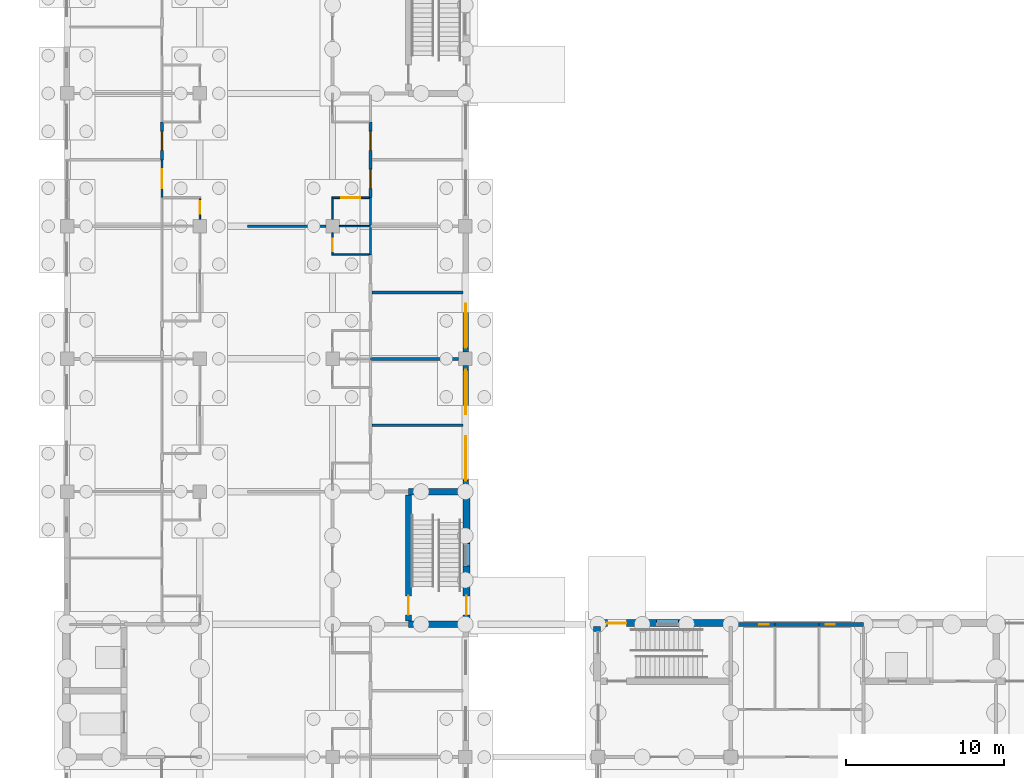
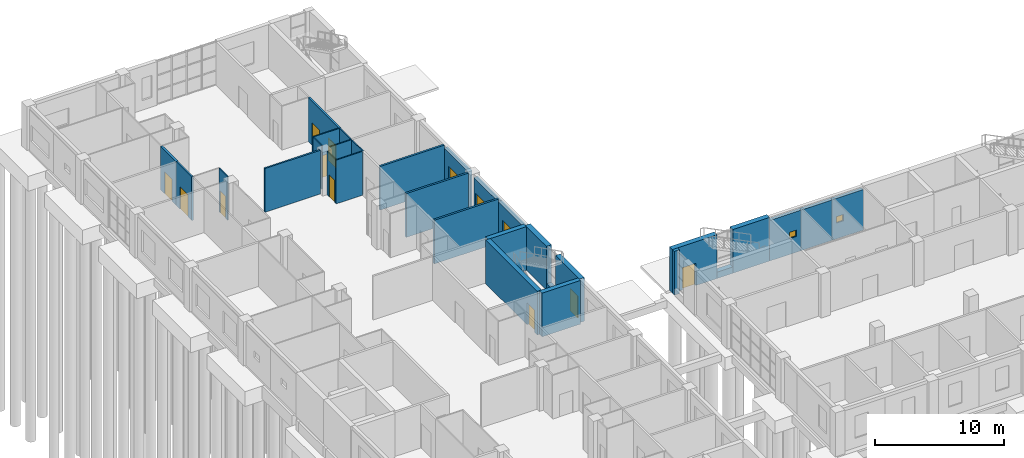
# One storey, part 108 of 138: 31 walls, 10 doors, 5 windows, 15 openings.
"""IFC4 building model written with IfcOpenShell, lengths in metres."""

from ifc_helpers import new_model, si_unit, direction, frame, frame_2d, origin, place, context, subcontext, project, spatial, rectangle, extrude, material, layer, layer_set, type_object, element, fill, save


model = new_model("IFC4")

# Units and contexts
model_context = context("Model", 3, precision=1e-05, world=origin(), true_north=direction((0.0, 1.0)))
body_context = subcontext(model_context, "Body", "Model", "MODEL_VIEW")
ifc_project = project(units=[si_unit("LENGTHUNIT", "METRE"), si_unit("AREAUNIT", "SQUARE_METRE"), si_unit("VOLUMEUNIT", "CUBIC_METRE"), si_unit("PLANEANGLEUNIT", "RADIAN"), si_unit("MASSUNIT", "GRAM", prefix="KILO")], contexts=[model_context])

# Site, building, storey
site_placement = place(None, origin())
site = spatial("IfcSite", under=ifc_project, at=site_placement, CompositionType="ELEMENT")
building_placement = place(site_placement, origin())
building = spatial("IfcBuilding", under=site, at=building_placement, Name="Yavir Park General Hospital", CompositionType="ELEMENT")
storey_placement = place(building_placement, origin())
storey = spatial("IfcBuildingStorey", under=building, at=storey_placement, Name="L00", CompositionType="ELEMENT", Elevation=0.0)

# Walls
ifc_material_1 = material(Name="Double-leaf gypsum board acoustic partition on staggered studs")
ifc_layer_1 = layer(ifc_material_1, 0.175048828125)
ifc_layer_set_1 = layer_set([ifc_layer_1], Name="Double-leaf gypsum board acoustic partition on staggered studs")
wall_type_1 = type_object("IfcWallType", Name="Acoustic partition 175", PredefinedType="PARTITIONING", material=ifc_layer_set_1)
wall_1_placement = place(storey_placement, frame((19.28759765625, 88.199951171875, 0.0), z_axis=(0.0, 0.0, 1.0), x_axis=(1.0, 0.0, 0.0)))
element("IfcWall", 1, at=wall_1_placement, inside=storey, type_object=wall_type_1, Name="AP175 L00-202", PredefinedType="PARTITIONING", context=body_context, shape_type="SweptSolid", body=[
    extrude(rectangle(XDim=5.762451171875, YDim=0.175048828125, at=frame_2d((2.88134765625, 0.0))), origin(), (0.0, 0.0, 1.0), 4.139892578125),
])
wall_2_placement = place(storey_placement, frame((19.199951171875, 92.39990234375, 0.0), z_axis=(0.0, 0.0, 1.0), x_axis=(1.0, 0.0, 0.0)))
element("IfcWall", 2, at=wall_2_placement, inside=storey, type_object=wall_type_1, Name="AP175 L00-211", PredefinedType="PARTITIONING", context=body_context, shape_type="SweptSolid", body=[
    extrude(rectangle(XDim=5.574951171875, YDim=0.175048828125, at=frame_2d((2.78759765625, 0.0))), origin(), (0.0, 0.0, 1.0), 4.139892578125),
])
wall_3_placement = place(storey_placement, frame((19.28759765625, 96.60009765625, 0.0), z_axis=(0.0, 0.0, 1.0), x_axis=(1.0, 0.0, 0.0)))
element("IfcWall", 3, at=wall_3_placement, inside=storey, type_object=wall_type_1, Name="AP175 L00-219", PredefinedType="PARTITIONING", context=body_context, shape_type="SweptSolid", body=[
    extrude(rectangle(XDim=5.762451171875, YDim=0.175048828125, at=frame_2d((2.88134765625, 0.0))), origin(), (0.0, 0.0, 1.0), 4.139892578125),
])

# Wall, opening, door
wall_4_placement = place(storey_placement, frame((6.0, 105.0, 0.0), z_axis=(0.0, 0.0, 1.0), x_axis=(0.0, 1.0, 0.0)))
wall_4 = element("IfcWall", 4, at=wall_4_placement, inside=storey, type_object=wall_type_1, Name="AP175 L00-273", PredefinedType="PARTITIONING", context=body_context, shape_type="SweptSolid", body=[
    extrude(rectangle(XDim=2.39990234375, YDim=0.175048828125, at=frame_2d((1.199951171875, 0.0))), origin(), (0.0, 0.0, 1.0), 4.139892578125),
])
opening_1_placement = place(wall_4_placement, frame((0.60009765625, 0.0, 0.0)))
opening_1 = element("IfcOpeningElement", 5, at=opening_1_placement, cuts=wall_4, Name="Opening L00.D142", PredefinedType="OPENING", context=body_context, shape_type="SweptSolid", body=[
    extrude(rectangle(XDim=1.199951171875, YDim=2.10009765625, at=frame_2d((0.60009765625, 1.050048828125))), frame((0.0, 0.097412109375, 0.0), z_axis=(0.0, -1.0, 0.0), x_axis=(1.0, 0.0, 0.0)), (0.0, 0.0, 1.0), 0.195068359375),
])
ifc_material_2 = material(Name="Sealed solid-core acoustic door leaf, Rw 42 dB")
door_type_1 = type_object("IfcDoorType", Name="Acoustic door 1200 x 2100", OperationType="SINGLE_SWING_LEFT", PredefinedType="DOOR", material=ifc_material_2)
door_1_placement = place(opening_1_placement, origin())
door_1 = element("IfcDoor", 6, at=door_1_placement, inside=storey, type_object=door_type_1, Name="L00.D142", OperationType="SINGLE_SWING_RIGHT", OverallHeight=2.10009765625, OverallWidth=1.199951171875, PredefinedType="DOOR", context=body_context, shape_type="SweptSolid", body=[
    extrude(rectangle(XDim=1.199951171875, YDim=2.10009765625, at=frame_2d((0.60009765625, 1.050048828125))), frame((0.0, 0.03515625, 0.0), z_axis=(0.0, -1.0, 0.0), x_axis=(1.0, 0.0, 0.0)), (0.0, 0.0, 1.0), 0.070068359375),
])
fill(opening_1, door_1)

# Wall, openings, doors
wall_5_placement = place(storey_placement, frame((19.199951171875, 102.60009765625, 0.0), z_axis=(0.0, 0.0, 1.0), x_axis=(0.0, 1.0, 0.0)))
wall_5 = element("IfcWall", 7, at=wall_5_placement, inside=storey, type_object=wall_type_1, Name="AP175 L00-335", PredefinedType="PARTITIONING", context=body_context, shape_type="SweptSolid", body=[
    extrude(rectangle(XDim=4.7998046875, YDim=0.175048828125, at=frame_2d((2.39990234375, 0.0))), origin(), (0.0, 0.0, 1.0), 4.139892578125),
])
opening_2_placement = place(wall_5_placement, frame((0.60009765625, 0.0, 0.0)))
opening_2 = element("IfcOpeningElement", 8, at=opening_2_placement, cuts=wall_5, Name="Opening L00.D188", PredefinedType="OPENING", context=body_context, shape_type="SweptSolid", body=[
    extrude(rectangle(XDim=1.199951171875, YDim=2.10009765625, at=frame_2d((0.60009765625, 1.050048828125))), frame((0.0, 0.097412109375, 0.0), z_axis=(0.0, -1.0, 0.0), x_axis=(1.0, 0.0, 0.0)), (0.0, 0.0, 1.0), 0.195068359375),
])
opening_3_placement = place(wall_5_placement, frame((3.0, 0.0, 0.0)))
opening_3 = element("IfcOpeningElement", 9, at=opening_3_placement, cuts=wall_5, Name="Opening L00.D189", PredefinedType="OPENING", context=body_context, shape_type="SweptSolid", body=[
    extrude(rectangle(XDim=1.199951171875, YDim=2.10009765625, at=frame_2d((0.60009765625, 1.050048828125))), frame((0.0, 0.097412109375, 0.0), z_axis=(0.0, -1.0, 0.0), x_axis=(1.0, 0.0, 0.0)), (0.0, 0.0, 1.0), 0.195068359375),
])
door_2_placement = place(opening_2_placement, origin())
door_2 = element("IfcDoor", 10, at=door_2_placement, inside=storey, type_object=door_type_1, Name="L00.D188", OperationType="SINGLE_SWING_RIGHT", OverallHeight=2.10009765625, OverallWidth=1.199951171875, PredefinedType="DOOR", context=body_context, shape_type="SweptSolid", body=[
    extrude(rectangle(XDim=1.199951171875, YDim=2.10009765625, at=frame_2d((0.60009765625, 1.050048828125))), frame((0.0, 0.03515625, 0.0), z_axis=(0.0, -1.0, 0.0), x_axis=(1.0, 0.0, 0.0)), (0.0, 0.0, 1.0), 0.070068359375),
])
fill(opening_2, door_2)
door_3_placement = place(opening_3_placement, origin())
door_3 = element("IfcDoor", 11, at=door_3_placement, inside=storey, type_object=door_type_1, Name="L00.D189", OperationType="SINGLE_SWING_LEFT", OverallHeight=2.10009765625, OverallWidth=1.199951171875, PredefinedType="DOOR", context=body_context, shape_type="SweptSolid", body=[
    extrude(rectangle(XDim=1.199951171875, YDim=2.10009765625, at=frame_2d((0.60009765625, 1.050048828125))), frame((0.0, 0.03515625, 0.0), z_axis=(0.0, -1.0, 0.0), x_axis=(1.0, 0.0, 0.0)), (0.0, 0.0, 1.0), 0.070068359375),
])
fill(opening_3, door_3)

# Wall, opening, window
ifc_material_3 = material(Name="Brick slip cladding on insulated block backing", Category="masonry")
ifc_layer_2 = layer(ifc_material_3, 0.27490234375)
ifc_layer_set_2 = layer_set([ifc_layer_2], Name="Brick slip cladding on insulated block backing")
wall_type_2 = type_object("IfcWallType", Name="Brick slip faced pavilion wall 275, E 30", PredefinedType="SOLIDWALL", material=ifc_layer_set_2)
wall_6_placement = place(storey_placement, frame((42.0, 75.58740234375, 0.0), z_axis=(0.0, 0.0, 1.0), x_axis=(1.0, 0.0, 0.0)))
wall_6 = element("IfcWall", 12, at=wall_6_placement, inside=storey, type_object=wall_type_2, Name="XW3 L00-070", PredefinedType="SOLIDWALL", context=body_context, shape_type="SweptSolid", body=[
    extrude(rectangle(XDim=2.800048828125, YDim=0.27490234375, at=frame_2d((1.39990234375, 0.0))), origin(), (0.0, 0.0, 1.0), 3.840087890625),
])
opening_4_placement = place(wall_6_placement, frame((1.800048828125, 0.0, 1.5)))
opening_4 = element("IfcOpeningElement", 13, at=opening_4_placement, cuts=wall_6, Name="Opening WJ", PredefinedType="OPENING", context=body_context, shape_type="SweptSolid", body=[
    extrude(rectangle(XDim=0.60009765625, YDim=0.60009765625, at=frame_2d((0.300048828125, 0.300048828125))), frame((0.0, 0.1474609375, 0.0), z_axis=(0.0, -1.0, 0.0), x_axis=(1.0, 0.0, 0.0)), (0.0, 0.0, 1.0), 0.294921875),
])
ifc_material_4 = material(Name="Aluminium frame, obscured glazed unit", Category="aluminium")
window_type_1 = type_object("IfcWindowType", Name="Toilet window, small 600 x 600", PartitioningType="SINGLE_PANEL", PredefinedType="WINDOW", material=ifc_material_4)
window_1_placement = place(opening_4_placement, origin())
window_1 = element("IfcWindow", 14, at=window_1_placement, inside=storey, type_object=window_type_1, Name="WJ L00-022", OverallHeight=0.60009765625, OverallWidth=0.60009765625, PartitioningType="SINGLE_PANEL", PredefinedType="WINDOW", context=body_context, shape_type="SweptSolid", body=[
    extrude(rectangle(XDim=0.60009765625, YDim=0.60009765625, at=frame_2d((0.300048828125, 0.300048828125))), frame((0.0, 0.030029296875, 0.0), z_axis=(0.0, -1.0, 0.0), x_axis=(1.0, 0.0, 0.0)), (0.0, 0.0, 1.0), 0.06005859375),
])
fill(opening_4, window_1)

# Wall
wall_7_placement = place(storey_placement, frame((44.800048828125, 75.58740234375, 0.0), z_axis=(0.0, 0.0, 1.0), x_axis=(1.0, 0.0, 0.0)))
element("IfcWall", 15, at=wall_7_placement, inside=storey, type_object=wall_type_2, Name="XW3 L00-071", PredefinedType="SOLIDWALL", context=body_context, shape_type="SweptSolid", body=[
    extrude(rectangle(XDim=2.800048828125, YDim=0.27490234375, at=frame_2d((1.39990234375, 0.0))), origin(), (0.0, 0.0, 1.0), 3.840087890625),
])

# Wall, opening, window
wall_8_placement = place(storey_placement, frame((47.60009765625, 75.58740234375, 0.0), z_axis=(0.0, 0.0, 1.0), x_axis=(1.0, 0.0, 0.0)))
wall_8 = element("IfcWall", 16, at=wall_8_placement, inside=storey, type_object=wall_type_2, Name="XW3 L00-072", PredefinedType="SOLIDWALL", context=body_context, shape_type="SweptSolid", body=[
    extrude(rectangle(XDim=2.7998046875, YDim=0.27490234375, at=frame_2d((1.39990234375, 0.0))), origin(), (0.0, 0.0, 1.0), 3.840087890625),
])
opening_5_placement = place(wall_8_placement, frame((0.39990234375, 0.0, 1.5)))
opening_5 = element("IfcOpeningElement", 17, at=opening_5_placement, cuts=wall_8, Name="Opening WJ", PredefinedType="OPENING", context=body_context, shape_type="SweptSolid", body=[
    extrude(rectangle(XDim=0.60009765625, YDim=0.60009765625, at=frame_2d((0.300048828125, 0.300048828125))), frame((0.0, 0.1474609375, 0.0), z_axis=(0.0, -1.0, 0.0), x_axis=(1.0, 0.0, 0.0)), (0.0, 0.0, 1.0), 0.294921875),
])
window_2_placement = place(opening_5_placement, origin())
window_2 = element("IfcWindow", 18, at=window_2_placement, inside=storey, type_object=window_type_1, Name="WJ L00-023", OverallHeight=0.60009765625, OverallWidth=0.60009765625, PartitioningType="SINGLE_PANEL", PredefinedType="WINDOW", context=body_context, shape_type="SweptSolid", body=[
    extrude(rectangle(XDim=0.60009765625, YDim=0.60009765625, at=frame_2d((0.300048828125, 0.300048828125))), frame((0.0, 0.030029296875, 0.0), z_axis=(0.0, -1.0, 0.0), x_axis=(1.0, 0.0, 0.0)), (0.0, 0.0, 1.0), 0.06005859375),
])
fill(opening_5, window_2)

# Walls
ifc_material_5 = material(Name="Gypsum board partition on steel studs", Category="steel")
ifc_layer_3 = layer(ifc_material_5, 0.10009765625)
ifc_layer_set_3 = layer_set([ifc_layer_3], Name="Gypsum board partition on steel studs")
wall_type_3 = type_object("IfcWallType", Name="Gypsum board partition 100", PredefinedType="PARTITIONING", material=ifc_layer_set_3)
wall_9_placement = place(storey_placement, frame((16.75, 99.0, 0.0), z_axis=(0.0, 0.0, 1.0), x_axis=(1.0, 0.0, 0.0)))
element("IfcWall", 19, at=wall_9_placement, inside=storey, type_object=wall_type_3, Name="P10 L00-224", PredefinedType="PARTITIONING", context=body_context, shape_type="SweptSolid", body=[
    extrude(rectangle(XDim=2.362548828125, YDim=0.10009765625, at=frame_2d((1.18115234375, 0.0))), origin(), (0.0, 0.0, 1.0), 4.139892578125),
])
wall_10_placement = place(storey_placement, frame((17.22509765625, 100.800048828125, 0.0), z_axis=(0.0, 0.0, 1.0), x_axis=(1.0, 0.0, 0.0)))
element("IfcWall", 20, at=wall_10_placement, inside=storey, type_object=wall_type_3, Name="P10 L00-228", PredefinedType="PARTITIONING", context=body_context, shape_type="SweptSolid", body=[
    extrude(rectangle(XDim=1.974853515625, YDim=0.10009765625, at=frame_2d((0.9873046875, 0.0))), origin(), (0.0, 0.0, 1.0), 4.139892578125),
])

# Wall, opening, door
wall_11_placement = place(storey_placement, frame((16.75, 102.60009765625, 0.0), z_axis=(0.0, 0.0, 1.0), x_axis=(1.0, 0.0, 0.0)))
wall_11 = element("IfcWall", 21, at=wall_11_placement, inside=storey, type_object=wall_type_3, Name="P10 L00-233", PredefinedType="PARTITIONING", context=body_context, shape_type="SweptSolid", body=[
    extrude(rectangle(XDim=2.362548828125, YDim=0.10009765625, at=frame_2d((1.18115234375, 0.0))), origin(), (0.0, 0.0, 1.0), 4.139892578125),
])
opening_6_placement = place(wall_11_placement, frame((0.606201171875, 0.0, 0.0)))
opening_6 = element("IfcOpeningElement", 22, at=opening_6_placement, cuts=wall_11, Name="Opening L00.D121", PredefinedType="OPENING", context=body_context, shape_type="SweptSolid", body=[
    extrude(rectangle(XDim=1.199951171875, YDim=2.10009765625, at=frame_2d((0.60009765625, 1.050048828125))), frame((0.0, 0.06005859375, 0.0), z_axis=(0.0, -1.0, 0.0), x_axis=(1.0, 0.0, 0.0)), (0.0, 0.0, 1.0), 0.1201171875),
])
ifc_material_6 = material(Name="Timber frame, hollow-core leaves", Category="wood")
door_type_2 = type_object("IfcDoorType", Name="Double-leaf wardrobe door 1200 x 2100", OperationType="DOUBLE_DOOR_SINGLE_SWING", PredefinedType="DOOR", material=ifc_material_6)
door_4_placement = place(opening_6_placement, origin())
door_4 = element("IfcDoor", 23, at=door_4_placement, inside=storey, type_object=door_type_2, Name="L00.D121", OperationType="SINGLE_SWING_LEFT", OverallHeight=2.10009765625, OverallWidth=1.199951171875, PredefinedType="DOOR", context=body_context, shape_type="SweptSolid", body=[
    extrude(rectangle(XDim=1.199951171875, YDim=2.10009765625, at=frame_2d((0.60009765625, 1.050048828125))), frame((0.0, 0.02001953125, 0.0), z_axis=(0.0, -1.0, 0.0), x_axis=(1.0, 0.0, 0.0)), (0.0, 0.0, 1.0), 0.0400390625),
])
fill(opening_6, door_4)

wall_12_placement = place(storey_placement, frame((8.39990234375, 101.22509765625, 0.0), z_axis=(0.0, 0.0, 1.0), x_axis=(0.0, 1.0, 0.0)))
wall_12 = element("IfcWall", 24, at=wall_12_placement, inside=storey, type_object=wall_type_3, Name="P10 L00-291", PredefinedType="PARTITIONING", context=body_context, shape_type="SweptSolid", body=[
    extrude(rectangle(XDim=1.324951171875, YDim=0.10009765625, at=frame_2d((0.66259765625, 0.0))), origin(), (0.0, 0.0, 1.0), 4.139892578125),
])
opening_7_placement = place(wall_12_placement, frame((0.362548828125, 0.0, 0.0)))
opening_7 = element("IfcOpeningElement", 25, at=opening_7_placement, cuts=wall_12, Name="Opening L00.D156", PredefinedType="OPENING", context=body_context, shape_type="SweptSolid", body=[
    extrude(rectangle(XDim=0.800048828125, YDim=2.10009765625, at=frame_2d((0.39990234375, 1.050048828125))), frame((0.0, 0.06005859375, 0.0), z_axis=(0.0, -1.0, 0.0), x_axis=(1.0, 0.0, 0.0)), (0.0, 0.0, 1.0), 0.1201171875),
])
ifc_material_7 = material(Name="Timber frame, hollow-core leaf", Category="wood")
door_type_3 = type_object("IfcDoorType", Name="Light cupboard door 800 x 2100", OperationType="SINGLE_SWING_LEFT", PredefinedType="DOOR", material=ifc_material_7)
door_5_placement = place(opening_7_placement, origin())
door_5 = element("IfcDoor", 26, at=door_5_placement, inside=storey, type_object=door_type_3, Name="L00.D156", OperationType="SINGLE_SWING_LEFT", OverallHeight=2.10009765625, OverallWidth=0.800048828125, PredefinedType="DOOR", context=body_context, shape_type="SweptSolid", body=[
    extrude(rectangle(XDim=0.800048828125, YDim=2.10009765625, at=frame_2d((0.39990234375, 1.050048828125))), frame((0.0, 0.02001953125, 0.0), z_axis=(0.0, -1.0, 0.0), x_axis=(1.0, 0.0, 0.0)), (0.0, 0.0, 1.0), 0.0400390625),
])
fill(opening_7, door_5)

wall_13_placement = place(storey_placement, frame((16.800048828125, 99.050048828125, 0.0), z_axis=(0.0, 0.0, 1.0), x_axis=(0.0, 1.0, 0.0)))
wall_13 = element("IfcWall", 27, at=wall_13_placement, inside=storey, type_object=wall_type_3, Name="P10 L00-312", PredefinedType="PARTITIONING", context=body_context, shape_type="SweptSolid", body=[
    extrude(rectangle(XDim=1.324951171875, YDim=0.10009765625, at=frame_2d((0.66259765625, 0.0))), origin(), (0.0, 0.0, 1.0), 4.139892578125),
])
opening_8_placement = place(wall_13_placement, frame((0.16259765625, 0.0, 0.0)))
opening_8 = element("IfcOpeningElement", 28, at=opening_8_placement, cuts=wall_13, Name="Opening L00.D173", PredefinedType="OPENING", context=body_context, shape_type="SweptSolid", body=[
    extrude(rectangle(XDim=0.800048828125, YDim=2.10009765625, at=frame_2d((0.39990234375, 1.050048828125))), frame((0.0, 0.06005859375, 0.0), z_axis=(0.0, -1.0, 0.0), x_axis=(1.0, 0.0, 0.0)), (0.0, 0.0, 1.0), 0.1201171875),
])
door_6_placement = place(opening_8_placement, origin())
door_6 = element("IfcDoor", 29, at=door_6_placement, inside=storey, type_object=door_type_3, Name="L00.D173", OperationType="SINGLE_SWING_LEFT", OverallHeight=2.10009765625, OverallWidth=0.800048828125, PredefinedType="DOOR", context=body_context, shape_type="SweptSolid", body=[
    extrude(rectangle(XDim=0.800048828125, YDim=2.10009765625, at=frame_2d((0.39990234375, 1.050048828125))), frame((0.0, 0.02001953125, 0.0), z_axis=(0.0, -1.0, 0.0), x_axis=(1.0, 0.0, 0.0)), (0.0, 0.0, 1.0), 0.0400390625),
])
fill(opening_8, door_6)

# Walls
wall_14_placement = place(storey_placement, frame((16.800048828125, 101.22509765625, 0.0), z_axis=(0.0, 0.0, 1.0), x_axis=(0.0, 1.0, 0.0)))
element("IfcWall", 30, at=wall_14_placement, inside=storey, type_object=wall_type_3, Name="P10 L00-313", PredefinedType="PARTITIONING", context=body_context, shape_type="SweptSolid", body=[
    extrude(rectangle(XDim=1.324951171875, YDim=0.10009765625, at=frame_2d((0.66259765625, 0.0))), origin(), (0.0, 0.0, 1.0), 4.139892578125),
])
wall_15_placement = place(storey_placement, frame((19.199951171875, 99.0, 0.0), z_axis=(0.0, 0.0, 1.0), x_axis=(0.0, 1.0, 0.0)))
element("IfcWall", 31, at=wall_15_placement, inside=storey, type_object=wall_type_3, Name="P10 L00-333", PredefinedType="PARTITIONING", context=body_context, shape_type="SweptSolid", body=[
    extrude(rectangle(XDim=1.71240234375, YDim=0.10009765625, at=frame_2d((0.856201171875, 0.0))), origin(), (0.0, 0.0, 1.0), 4.139892578125),
])
wall_16_placement = place(storey_placement, frame((19.199951171875, 100.887451171875, 0.0), z_axis=(0.0, 0.0, 1.0), x_axis=(0.0, 1.0, 0.0)))
element("IfcWall", 32, at=wall_16_placement, inside=storey, type_object=wall_type_3, Name="P10 L00-334", PredefinedType="PARTITIONING", context=body_context, shape_type="SweptSolid", body=[
    extrude(rectangle(XDim=1.712646484375, YDim=0.10009765625, at=frame_2d((0.8564453125, 0.0))), origin(), (0.0, 0.0, 1.0), 4.139892578125),
])
ifc_material_8 = material(Name="Gypsum board partition on steel studs", Category="steel")
ifc_layer_4 = layer(ifc_material_8, 0.14990234375)
ifc_layer_set_4 = layer_set([ifc_layer_4], Name="Gypsum board partition on steel studs")
wall_type_4 = type_object("IfcWallType", Name="Gypsum board partition 150", PredefinedType="PARTITIONING", material=ifc_layer_set_4)
wall_17_placement = place(storey_placement, frame((11.39990234375, 100.800048828125, 0.0), z_axis=(0.0, 0.0, 1.0), x_axis=(1.0, 0.0, 0.0)))
element("IfcWall", 33, at=wall_17_placement, inside=storey, type_object=wall_type_4, Name="P15 L00-227", PredefinedType="PARTITIONING", context=body_context, shape_type="SweptSolid", body=[
    extrude(rectangle(XDim=4.97509765625, YDim=0.14990234375, at=frame_2d((2.487548828125, 0.0))), origin(), (0.0, 0.0, 1.0), 4.139892578125),
])

# Wall, opening, door
wall_18_placement = place(storey_placement, frame((6.0, 102.60009765625, 0.0), z_axis=(0.0, 0.0, 1.0), x_axis=(0.0, 1.0, 0.0)))
wall_18 = element("IfcWall", 34, at=wall_18_placement, inside=storey, type_object=wall_type_4, Name="P15 L00-272", PredefinedType="PARTITIONING", context=body_context, shape_type="SweptSolid", body=[
    extrude(rectangle(XDim=2.39990234375, YDim=0.14990234375, at=frame_2d((1.199951171875, 0.0))), origin(), (0.0, 0.0, 1.0), 4.139892578125),
])
opening_9_placement = place(wall_18_placement, frame((0.60009765625, 0.0, 0.0)))
opening_9 = element("IfcOpeningElement", 35, at=opening_9_placement, cuts=wall_18, Name="Opening L00.D141", PredefinedType="OPENING", context=body_context, shape_type="SweptSolid", body=[
    extrude(rectangle(XDim=1.199951171875, YDim=2.10009765625, at=frame_2d((0.60009765625, 1.050048828125))), frame((0.0, 0.0849609375, 0.0), z_axis=(0.0, -1.0, 0.0), x_axis=(1.0, 0.0, 0.0)), (0.0, 0.0, 1.0), 0.169921875),
])
ifc_material_9 = material(Name="Hollow metal frame, solid-core timber leaf", Category="wood")
door_type_4 = type_object("IfcDoorType", Name="Single swing door 1200 x 2100", OperationType="SINGLE_SWING_LEFT", PredefinedType="DOOR", material=ifc_material_9)
door_7_placement = place(opening_9_placement, origin())
door_7 = element("IfcDoor", 36, at=door_7_placement, inside=storey, type_object=door_type_4, Name="L00.D141", OperationType="SINGLE_SWING_LEFT", OverallHeight=2.10009765625, OverallWidth=1.199951171875, PredefinedType="DOOR", context=body_context, shape_type="SweptSolid", body=[
    extrude(rectangle(XDim=1.199951171875, YDim=2.10009765625, at=frame_2d((0.60009765625, 1.050048828125))), frame((0.0, 0.02490234375, 0.0), z_axis=(0.0, -1.0, 0.0), x_axis=(1.0, 0.0, 0.0)), (0.0, 0.0, 1.0), 0.050048828125),
])
fill(opening_9, door_7)

# Wall, opening, window
ifc_material_10 = material(Name="Concrete C30/37 precast panel with 120 mm mineral wool insulation", Category="concrete")
ifc_layer_5 = layer(ifc_material_10, 0.35009765625)
ifc_layer_set_5 = layer_set([ifc_layer_5], Name="Concrete C30/37 precast panel with 120 mm mineral wool insulation")
wall_type_5 = type_object("IfcWallType", Name="Precast cladding panel podium wall 350, E 30", PredefinedType="SOLIDWALL", material=ifc_layer_set_5)
wall_19_placement = place(storey_placement, frame((25.22509765625, 84.0, 0.0), z_axis=(0.0, 0.0, 1.0), x_axis=(0.0, 1.0, 0.0)))
wall_19 = element("IfcWall", 37, at=wall_19_placement, inside=storey, type_object=wall_type_5, Name="XW2 L00-130", PredefinedType="SOLIDWALL", context=body_context, shape_type="SweptSolid", body=[
    extrude(rectangle(XDim=4.199951171875, YDim=0.35009765625, at=frame_2d((2.10009765625, 0.0))), origin(), (0.0, 0.0, 1.0), 3.840087890625),
])
opening_10_placement = place(wall_19_placement, frame((0.699951171875, 0.0, 1.0)))
opening_10 = element("IfcOpeningElement", 38, at=opening_10_placement, cuts=wall_19, Name="Opening WRB2", PredefinedType="OPENING", context=body_context, shape_type="SweptSolid", body=[
    extrude(rectangle(XDim=2.800048828125, YDim=1.5, at=frame_2d((1.39990234375, 0.75))), frame((0.0, 0.18505859375, 0.0), z_axis=(0.0, -1.0, 0.0), x_axis=(1.0, 0.0, 0.0)), (0.0, 0.0, 1.0), 0.3701171875),
])
ifc_material_11 = material(Name="Aluminium frame, double glazed unit", Category="aluminium")
window_type_2 = type_object("IfcWindowType", Name="Tall ribbon window 2800 x 1500", PartitioningType="DOUBLE_PANEL_VERTICAL", PredefinedType="WINDOW", material=ifc_material_11)
window_3_placement = place(opening_10_placement, origin())
window_3 = element("IfcWindow", 39, at=window_3_placement, inside=storey, type_object=window_type_2, Name="WRB2 L00-056", OverallHeight=1.5, OverallWidth=2.800048828125, PartitioningType="DOUBLE_PANEL_VERTICAL", PredefinedType="WINDOW", context=body_context, shape_type="SweptSolid", body=[
    extrude(rectangle(XDim=2.800048828125, YDim=1.5, at=frame_2d((1.39990234375, 0.75))), frame((0.0, 0.030029296875, 0.0), z_axis=(0.0, -1.0, 0.0), x_axis=(1.0, 0.0, 0.0)), (0.0, 0.0, 1.0), 0.06005859375),
])
fill(opening_10, window_3)

wall_20_placement = place(storey_placement, frame((25.22509765625, 88.199951171875, 0.0), z_axis=(0.0, 0.0, 1.0), x_axis=(0.0, 1.0, 0.0)))
wall_20 = element("IfcWall", 40, at=wall_20_placement, inside=storey, type_object=wall_type_5, Name="XW2 L00-131", PredefinedType="SOLIDWALL", context=body_context, shape_type="SweptSolid", body=[
    extrude(rectangle(XDim=3.775146484375, YDim=0.35009765625, at=frame_2d((1.8876953125, 0.0))), origin(), (0.0, 0.0, 1.0), 3.840087890625),
])
opening_11_placement = place(wall_20_placement, frame((0.699951171875, 0.0, 1.0)))
opening_11 = element("IfcOpeningElement", 41, at=opening_11_placement, cuts=wall_20, Name="Opening WRB2", PredefinedType="OPENING", context=body_context, shape_type="SweptSolid", body=[
    extrude(rectangle(XDim=2.800048828125, YDim=1.5, at=frame_2d((1.39990234375, 0.75))), frame((0.0, 0.18505859375, 0.0), z_axis=(0.0, -1.0, 0.0), x_axis=(1.0, 0.0, 0.0)), (0.0, 0.0, 1.0), 0.3701171875),
])
window_4_placement = place(opening_11_placement, origin())
window_4 = element("IfcWindow", 42, at=window_4_placement, inside=storey, type_object=window_type_2, Name="WRB2 L00-057", OverallHeight=1.5, OverallWidth=2.800048828125, PartitioningType="DOUBLE_PANEL_VERTICAL", PredefinedType="WINDOW", context=body_context, shape_type="SweptSolid", body=[
    extrude(rectangle(XDim=2.800048828125, YDim=1.5, at=frame_2d((1.39990234375, 0.75))), frame((0.0, 0.030029296875, 0.0), z_axis=(0.0, -1.0, 0.0), x_axis=(1.0, 0.0, 0.0)), (0.0, 0.0, 1.0), 0.06005859375),
])
fill(opening_11, window_4)

wall_21_placement = place(storey_placement, frame((25.22509765625, 92.824951171875, 0.0), z_axis=(0.0, 0.0, 1.0), x_axis=(0.0, 1.0, 0.0)))
wall_21 = element("IfcWall", 43, at=wall_21_placement, inside=storey, type_object=wall_type_5, Name="XW2 L00-132", PredefinedType="SOLIDWALL", context=body_context, shape_type="SweptSolid", body=[
    extrude(rectangle(XDim=3.775146484375, YDim=0.35009765625, at=frame_2d((1.8876953125, 0.0))), origin(), (0.0, 0.0, 1.0), 3.840087890625),
])
opening_12_placement = place(wall_21_placement, frame((0.27490234375, 0.0, 1.0)))
opening_12 = element("IfcOpeningElement", 44, at=opening_12_placement, cuts=wall_21, Name="Opening WRB2", PredefinedType="OPENING", context=body_context, shape_type="SweptSolid", body=[
    extrude(rectangle(XDim=2.800048828125, YDim=1.5, at=frame_2d((1.39990234375, 0.75))), frame((0.0, 0.18505859375, 0.0), z_axis=(0.0, -1.0, 0.0), x_axis=(1.0, 0.0, 0.0)), (0.0, 0.0, 1.0), 0.3701171875),
])
window_5_placement = place(opening_12_placement, origin())
window_5 = element("IfcWindow", 45, at=window_5_placement, inside=storey, type_object=window_type_2, Name="WRB2 L00-058", OverallHeight=1.5, OverallWidth=2.800048828125, PartitioningType="DOUBLE_PANEL_VERTICAL", PredefinedType="WINDOW", context=body_context, shape_type="SweptSolid", body=[
    extrude(rectangle(XDim=2.800048828125, YDim=1.5, at=frame_2d((1.39990234375, 0.75))), frame((0.0, 0.030029296875, 0.0), z_axis=(0.0, -1.0, 0.0), x_axis=(1.0, 0.0, 0.0)), (0.0, 0.0, 1.0), 0.06005859375),
])
fill(opening_12, window_5)

# Walls
ifc_material_12 = material(Name="Concrete C35/45", Category="concrete")
ifc_layer_6 = layer(ifc_material_12, 0.39990234375)
ifc_layer_set_6 = layer_set([ifc_layer_6], Name="Concrete C35/45")
wall_type_6 = type_object("IfcWallType", Name="Reinforced concrete core wall 400, REI 150", PredefinedType="SHEAR", material=ifc_layer_set_6)
for number, where, z_axis, x_axis, name in (
    (46, (21.60009765625, 75.60009765625, 0.0), (0.0, 0.0, 1.0), (1.0, 0.0, 0.0), "CW40 L00-180"),
    (47, (21.60009765625, 84.0, 0.0), (0.0, 0.0, 1.0), (1.0, 0.0, 0.0), "CW40 L00-193"),
):
    element("IfcWall", number, at=place(storey_placement, frame(where, z_axis=z_axis, x_axis=x_axis)), inside=storey, type_object=wall_type_6, Name=name, PredefinedType="SHEAR", context=body_context, shape_type="SweptSolid", body=[
        extrude(rectangle(XDim=3.449951171875, YDim=0.39990234375, at=frame_2d((1.72509765625, 0.0))), origin(), (0.0, 0.0, 1.0), 4.139892578125),
    ])

# Wall, opening, door
wall_22_placement = place(storey_placement, frame((21.60009765625, 75.800048828125, 0.0), z_axis=(0.0, 0.0, 1.0), x_axis=(0.0, 1.0, 0.0)))
wall_22 = element("IfcWall", 48, at=wall_22_placement, inside=storey, type_object=wall_type_6, Name="CW40 L00-339", PredefinedType="SHEAR", context=body_context, shape_type="SweptSolid", body=[
    extrude(rectangle(XDim=8.0, YDim=0.39990234375, at=frame_2d((4.0, 0.0))), origin(), (0.0, 0.0, 1.0), 4.139892578125),
])
opening_13_placement = place(wall_22_placement, frame((0.39990234375, 0.0, 0.0)))
opening_13 = element("IfcOpeningElement", 49, at=opening_13_placement, cuts=wall_22, Name="Opening L00.D191", PredefinedType="OPENING", context=body_context, shape_type="SweptSolid", body=[
    extrude(rectangle(XDim=1.199951171875, YDim=2.10009765625, at=frame_2d((0.60009765625, 1.050048828125))), frame((0.0, 0.2099609375, 0.0), z_axis=(0.0, -1.0, 0.0), x_axis=(1.0, 0.0, 0.0)), (0.0, 0.0, 1.0), 0.419921875),
])
ifc_material_13 = material(Name="Steel frame, fire-resisting timber leaf", Category="steel")
door_type_5 = type_object("IfcDoorType", Name="Fire door 1200 x 2100, EI 60", OperationType="SINGLE_SWING_LEFT", PredefinedType="DOOR", material=ifc_material_13)
door_8_placement = place(opening_13_placement, origin())
door_8 = element("IfcDoor", 50, at=door_8_placement, inside=storey, type_object=door_type_5, Name="L00.D191", OperationType="SINGLE_SWING_RIGHT", OverallHeight=2.10009765625, OverallWidth=1.199951171875, PredefinedType="DOOR", context=body_context, shape_type="SweptSolid", body=[
    extrude(rectangle(XDim=1.199951171875, YDim=2.10009765625, at=frame_2d((0.60009765625, 1.050048828125))), frame((0.0, 0.02490234375, 0.0), z_axis=(0.0, -1.0, 0.0), x_axis=(1.0, 0.0, 0.0)), (0.0, 0.0, 1.0), 0.050048828125),
])
fill(opening_13, door_8)

ifc_material_14 = material(Name="Concrete C30/37 precast panel with 150 mm mineral wool insulation", Category="concrete")
ifc_layer_7 = layer(ifc_material_14, 0.449951171875)
ifc_layer_set_7 = layer_set([ifc_layer_7], Name="Concrete C30/37 precast panel with 150 mm mineral wool insulation")
wall_type_7 = type_object("IfcWallType", Name="Stair enclosure wall 450, REI 150", PredefinedType="SOLIDWALL", material=ifc_layer_set_7)
wall_23_placement = place(storey_placement, frame((33.300048828125, 75.675048828125, 0.0), z_axis=(0.0, 0.0, 1.0), x_axis=(1.0, 0.0, 0.0)))
wall_23 = element("IfcWall", 51, at=wall_23_placement, inside=storey, type_object=wall_type_7, Name="XW6 L00-067", PredefinedType="SOLIDWALL", context=body_context, shape_type="SweptSolid", body=[
    extrude(rectangle(XDim=4.0, YDim=0.449951171875, at=frame_2d((2.0, 0.0))), origin(), (0.0, 0.0, 1.0), 4.139892578125),
])
opening_14_placement = place(wall_23_placement, frame((0.89990234375, 0.0, 0.0)))
opening_14 = element("IfcOpeningElement", 52, at=opening_14_placement, cuts=wall_23, Name="Opening L00.X19", PredefinedType="OPENING", context=body_context, shape_type="SweptSolid", body=[
    extrude(rectangle(XDim=1.199951171875, YDim=2.10009765625, at=frame_2d((0.60009765625, 1.050048828125))), frame((0.0, 0.23486328125, 0.0), z_axis=(0.0, -1.0, 0.0), x_axis=(1.0, 0.0, 0.0)), (0.0, 0.0, 1.0), 0.469970703125),
])
door_9_placement = place(opening_14_placement, origin())
door_9 = element("IfcDoor", 53, at=door_9_placement, inside=storey, type_object=door_type_4, Name="L00.X19", OperationType="SINGLE_SWING_RIGHT", OverallHeight=2.10009765625, OverallWidth=1.199951171875, PredefinedType="DOOR", context=body_context, shape_type="SweptSolid", body=[
    extrude(rectangle(XDim=1.199951171875, YDim=2.10009765625, at=frame_2d((0.60009765625, 1.050048828125))), frame((0.0, 0.02490234375, 0.0), z_axis=(0.0, -1.0, 0.0), x_axis=(1.0, 0.0, 0.0)), (0.0, 0.0, 1.0), 0.050048828125),
])
fill(opening_14, door_9)

# Walls
wall_24_placement = place(storey_placement, frame((38.699951171875, 75.675048828125, 0.0), z_axis=(0.0, 0.0, 1.0), x_axis=(1.0, 0.0, 0.0)))
element("IfcWall", 54, at=wall_24_placement, inside=storey, type_object=wall_type_7, Name="XW6 L00-068", PredefinedType="SOLIDWALL", context=body_context, shape_type="SweptSolid", body=[
    extrude(rectangle(XDim=3.300048828125, YDim=0.449951171875, at=frame_2d((1.64990234375, 0.0))), origin(), (0.0, 0.0, 1.0), 4.139892578125),
])
wall_25_placement = place(storey_placement, frame((37.300048828125, 75.675048828125, 0.0), z_axis=(0.0, 0.0, 1.0), x_axis=(1.0, 0.0, 0.0)))
element("IfcWall", 55, at=wall_25_placement, inside=storey, type_object=wall_type_7, Name="XW6 L00-069", PredefinedType="SOLIDWALL", context=body_context, shape_type="SweptSolid", body=[
    extrude(rectangle(XDim=1.39990234375, YDim=0.449951171875, at=frame_2d((0.699951171875, 0.0))), origin(), (0.0, 0.0, 1.0), 0.60009765625),
])

# Wall, opening, door
wall_26_placement = place(storey_placement, frame((25.27490234375, 75.60009765625, 0.0), z_axis=(0.0, 0.0, 1.0), x_axis=(0.0, 1.0, 0.0)))
wall_26 = element("IfcWall", 56, at=wall_26_placement, inside=storey, type_object=wall_type_7, Name="XW6 L00-127", PredefinedType="SOLIDWALL", context=body_context, shape_type="SweptSolid", body=[
    extrude(rectangle(XDim=3.699951171875, YDim=0.449951171875, at=frame_2d((1.85009765625, 0.0))), origin(), (0.0, 0.0, 1.0), 4.139892578125),
])
opening_15_placement = place(wall_26_placement, frame((0.60009765625, 0.0, 0.0)))
opening_15 = element("IfcOpeningElement", 57, at=opening_15_placement, cuts=wall_26, Name="Opening L00.X27", PredefinedType="OPENING", context=body_context, shape_type="SweptSolid", body=[
    extrude(rectangle(XDim=1.199951171875, YDim=2.10009765625, at=frame_2d((0.60009765625, 1.050048828125))), frame((0.0, 0.23486328125, 0.0), z_axis=(0.0, -1.0, 0.0), x_axis=(1.0, 0.0, 0.0)), (0.0, 0.0, 1.0), 0.469970703125),
])
door_10_placement = place(opening_15_placement, frame((1.199951171875, 0.0, 0.0), x_axis=(-1.0, 0.0, 0.0)))
door_10 = element("IfcDoor", 58, at=door_10_placement, inside=storey, type_object=door_type_4, Name="L00.X27", OperationType="SINGLE_SWING_LEFT", OverallHeight=2.10009765625, OverallWidth=1.199951171875, PredefinedType="DOOR", context=body_context, shape_type="SweptSolid", body=[
    extrude(rectangle(XDim=1.199951171875, YDim=2.10009765625, at=frame_2d((0.60009765625, 1.050048828125))), frame((0.0, 0.02490234375, 0.0), z_axis=(0.0, -1.0, 0.0), x_axis=(1.0, 0.0, 0.0)), (0.0, 0.0, 1.0), 0.050048828125),
])
fill(opening_15, door_10)

# Walls
wall_27_placement = place(storey_placement, frame((25.27490234375, 80.699951171875, 0.0), z_axis=(0.0, 0.0, 1.0), x_axis=(0.0, 1.0, 0.0)))
element("IfcWall", 59, at=wall_27_placement, inside=storey, type_object=wall_type_7, Name="XW6 L00-128", PredefinedType="SOLIDWALL", context=body_context, shape_type="SweptSolid", body=[
    extrude(rectangle(XDim=3.300048828125, YDim=0.449951171875, at=frame_2d((1.64990234375, 0.0))), origin(), (0.0, 0.0, 1.0), 4.139892578125),
])
wall_28_placement = place(storey_placement, frame((25.27490234375, 79.300048828125, 0.0), z_axis=(0.0, 0.0, 1.0), x_axis=(0.0, 1.0, 0.0)))
element("IfcWall", 60, at=wall_28_placement, inside=storey, type_object=wall_type_7, Name="XW6 L00-129", PredefinedType="SOLIDWALL", context=body_context, shape_type="SweptSolid", body=[
    extrude(rectangle(XDim=1.39990234375, YDim=0.449951171875, at=frame_2d((0.699951171875, 0.0))), origin(), (0.0, 0.0, 1.0), 0.60009765625),
])
wall_29_placement = place(storey_placement, frame((33.52490234375, 75.14990234375, 0.0), z_axis=(0.0, 0.0, 1.0), x_axis=(0.0, 1.0, 0.0)))
element("IfcWall", 61, at=wall_29_placement, inside=storey, type_object=wall_type_7, Name="XW6 L00-143", PredefinedType="SOLIDWALL", context=body_context, shape_type="SweptSolid", body=[
    extrude(rectangle(XDim=0.300048828125, YDim=0.449951171875, at=frame_2d((0.14990234375, 0.0))), origin(), (0.0, 0.0, 1.0), 4.139892578125),
])

save(model, "model.ifc")
